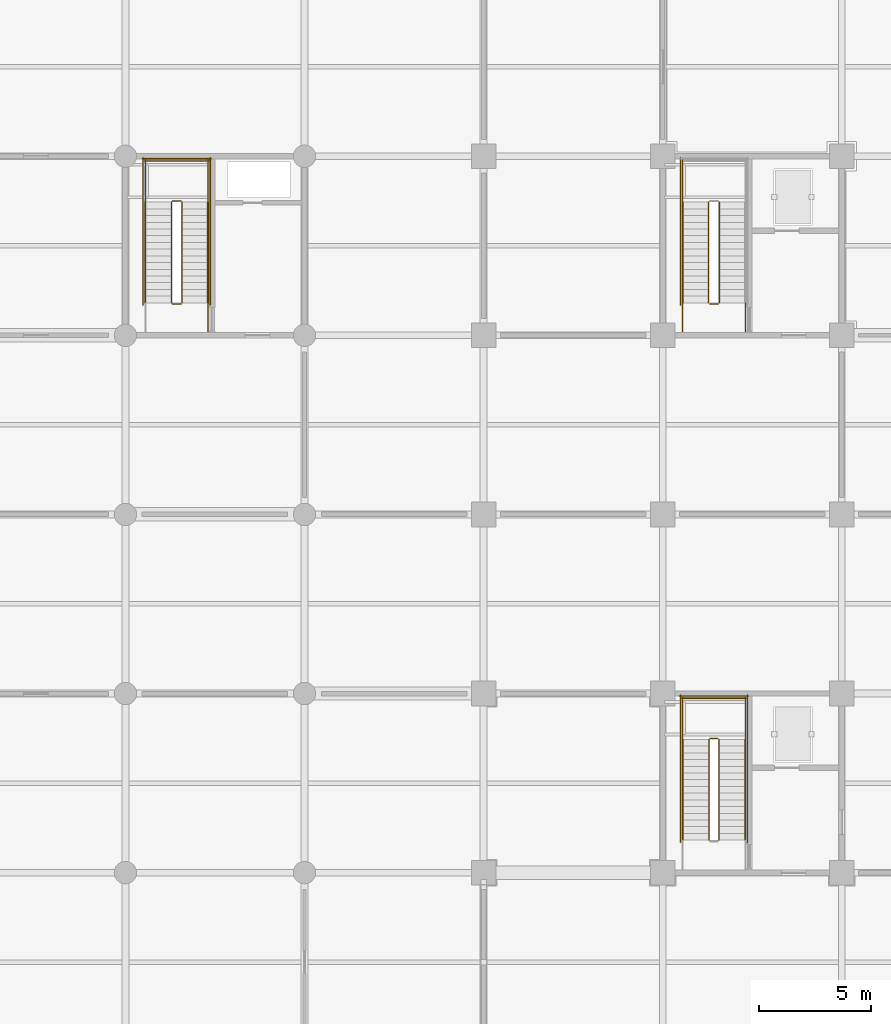
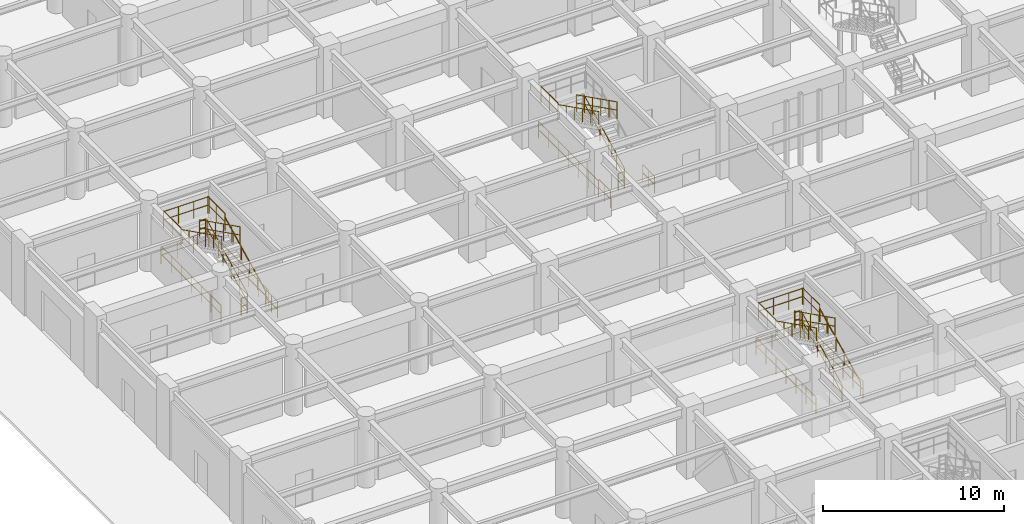
# One storey, part 108 of 125: 32 railings.
"""IFC4 building model written with IfcOpenShell, lengths in metres."""

from ifc_helpers import new_model, si_unit, direction, frame, origin, origin_2d, place, context, subcontext, project, spatial, circle, extrude, material, type_object, element, save


model = new_model("IFC4")

# Units and contexts
model_context = context("Model", 3, precision=1e-05, world=origin(), true_north=direction((0.0, 1.0)))
body_context = subcontext(model_context, "Body", "Model", "MODEL_VIEW")
ifc_project = project(units=[si_unit("LENGTHUNIT", "METRE"), si_unit("AREAUNIT", "SQUARE_METRE"), si_unit("VOLUMEUNIT", "CUBIC_METRE"), si_unit("PLANEANGLEUNIT", "RADIAN"), si_unit("MASSUNIT", "GRAM", prefix="KILO")], contexts=[model_context])

# Site, building, storey
site_placement = place(None, origin())
site = spatial("IfcSite", under=ifc_project, at=site_placement, CompositionType="ELEMENT")
building_placement = place(site_placement, origin())
building = spatial("IfcBuilding", under=site, at=building_placement, Name="Haebicheon Civic Stadium", CompositionType="ELEMENT")
storey_placement = place(building_placement, origin())
storey = spatial("IfcBuildingStorey", under=building, at=storey_placement, Name="L01", CompositionType="ELEMENT", Elevation=0.0)

# Railings
ifc_material_1 = material(Name="Galvanised painted steel SM355", Category="steel")
railing_type_1 = type_object("IfcRailingType", Name="RL-GRD-1150", PredefinedType="GUARDRAIL", material=ifc_material_1)
railing_1_placement = place(storey_placement, frame((34.510009765625, 57.449951171875, 0.14990234375)))
element("IfcRailing", 1, at=railing_1_placement, inside=storey, type_object=railing_type_1, material=ifc_material_1, Name="L01 ST-02 stair guard 1", PredefinedType="GUARDRAIL", context=body_context, shape_type="SweptSolid", body=[
    extrude(circle(Radius=0.02392578125, at=origin_2d()), frame((0.0, 0.0, 1.1259765625), z_axis=(0.0, 0.894427191, 0.4472135955), x_axis=(-1.0, 0.0, 0.0)), (0.0, 0.0, 1.0), 5.03125),
    extrude(circle(Radius=0.02392578125, at=origin_2d()), frame((0.0, 0.0, 0.574951171875), z_axis=(0.0, 0.894427191, 0.4472135955), x_axis=(-1.0, 0.0, 0.0)), (0.0, 0.0, 1.0), 5.03125),
    extrude(circle(Radius=0.02099609375, at=origin_2d()), origin(), (0.0, 0.0, 1.0), 1.101806640625),
    extrude(circle(Radius=0.02099609375, at=origin_2d()), frame((0.0, 0.89990234375, 0.449951171875)), (0.0, 0.0, 1.0), 1.101806640625),
    extrude(circle(Radius=0.02099609375, at=origin_2d()), frame((0.0, 1.800048828125, 0.89990234375)), (0.0, 0.0, 1.0), 1.101806640625),
    extrude(circle(Radius=0.02099609375, at=origin_2d()), frame((0.0, 2.699951171875, 1.35009765625)), (0.0, 0.0, 1.0), 1.101806640625),
    extrude(circle(Radius=0.02099609375, at=origin_2d()), frame((0.0, 3.60009765625, 1.800048828125)), (0.0, 0.0, 1.0), 1.101806640625),
    extrude(circle(Radius=0.02099609375, at=origin_2d()), frame((0.0, 4.5, 2.25)), (0.0, 0.0, 1.0), 1.101806640625),
])
railing_2_placement = place(storey_placement, frame((34.4599609375, 62.0, 2.39990234375)))
element("IfcRailing", 2, at=railing_2_placement, inside=storey, type_object=railing_type_1, material=ifc_material_1, Name="L01 ST-02 stair guard 2", PredefinedType="GUARDRAIL", context=body_context, shape_type="SweptSolid", body=[
    extrude(circle(Radius=0.02392578125, at=origin_2d()), frame((0.0, 0.0, 1.1259765625), z_axis=(-1.0, 0.0, 0.0), x_axis=(0.0, -1.0, 0.0)), (0.0, 0.0, 1.0), 0.33984375),
    extrude(circle(Radius=0.02392578125, at=origin_2d()), frame((0.0, 0.0, 0.574951171875), z_axis=(-1.0, 0.0, 0.0), x_axis=(0.0, -1.0, 0.0)), (0.0, 0.0, 1.0), 0.33984375),
    extrude(circle(Radius=0.02099609375, at=origin_2d()), origin(), (0.0, 0.0, 1.0), 1.101806640625),
    extrude(circle(Radius=0.02099609375, at=origin_2d()), frame((-0.33984375, 0.0, 0.0)), (0.0, 0.0, 1.0), 1.101806640625),
])
for number, where, name in (
    (3, (35.68994140625, 61.949951171875, 2.39990234375), "L01 ST-02 stair guard 3"),
    (4, (32.889892578125, 61.949951171875, 2.39990234375), "L01 ST-02 stair guard 4"),
):
    element("IfcRailing", number, at=place(storey_placement, frame(where)), inside=storey, type_object=railing_type_1, material=ifc_material_1, Name=name, PredefinedType="GUARDRAIL", context=body_context, shape_type="SweptSolid", body=[
        extrude(circle(Radius=0.02392578125, at=origin_2d()), frame((0.0, 0.0, 1.1259765625), z_axis=(0.0, 1.0, 0.0), x_axis=(-1.0, 0.0, 0.0)), (0.0, 0.0, 1.0), 1.89013671875),
        extrude(circle(Radius=0.02392578125, at=origin_2d()), frame((0.0, 0.0, 0.574951171875), z_axis=(0.0, 1.0, 0.0), x_axis=(-1.0, 0.0, 0.0)), (0.0, 0.0, 1.0), 1.89013671875),
        extrude(circle(Radius=0.02099609375, at=origin_2d()), origin(), (0.0, 0.0, 1.0), 1.101806640625),
        extrude(circle(Radius=0.02099609375, at=origin_2d()), frame((0.0, 0.945068359375, 0.0)), (0.0, 0.0, 1.0), 1.101806640625),
        extrude(circle(Radius=0.02099609375, at=origin_2d()), frame((0.0, 1.89013671875, 0.0)), (0.0, 0.0, 1.0), 1.101806640625),
    ])
railing_3_placement = place(storey_placement, frame((35.739990234375, 63.7900390625, 2.39990234375)))
element("IfcRailing", 5, at=railing_3_placement, inside=storey, type_object=railing_type_1, material=ifc_material_1, Name="L01 ST-02 stair guard 5", PredefinedType="GUARDRAIL", context=body_context, shape_type="SweptSolid", body=[
    extrude(circle(Radius=0.02392578125, at=origin_2d()), frame((0.0, 0.0, 1.1259765625), z_axis=(-1.0, 0.0, 0.0), x_axis=(0.0, -1.0, 0.0)), (0.0, 0.0, 1.0), 2.89990234375),
    extrude(circle(Radius=0.02392578125, at=origin_2d()), frame((0.0, 0.0, 0.574951171875), z_axis=(-1.0, 0.0, 0.0), x_axis=(0.0, -1.0, 0.0)), (0.0, 0.0, 1.0), 2.89990234375),
    extrude(circle(Radius=0.02099609375, at=origin_2d()), origin(), (0.0, 0.0, 1.0), 1.101806640625),
    extrude(circle(Radius=0.02099609375, at=origin_2d()), frame((-0.966552734375, 0.0, 0.0)), (0.0, 0.0, 1.0), 1.101806640625),
    extrude(circle(Radius=0.02099609375, at=origin_2d()), frame((-1.933349609375, 0.0, 0.0)), (0.0, 0.0, 1.0), 1.101806640625),
    extrude(circle(Radius=0.02099609375, at=origin_2d()), frame((-2.89990234375, 0.0, 0.0)), (0.0, 0.0, 1.0), 1.101806640625),
])
railing_4_placement = place(storey_placement, frame((34.070068359375, 61.949951171875, 2.550048828125)))
element("IfcRailing", 6, at=railing_4_placement, inside=storey, type_object=railing_type_1, material=ifc_material_1, Name="L01 ST-02 stair guard 6", PredefinedType="GUARDRAIL", context=body_context, shape_type="SweptSolid", body=[
    extrude(circle(Radius=0.02392578125, at=origin_2d()), frame((0.0, 0.0, 1.1259765625), z_axis=(0.0, -0.894427191, 0.4472135955), x_axis=(1.0, 0.0, 0.0)), (0.0, 0.0, 1.0), 5.03125),
    extrude(circle(Radius=0.02392578125, at=origin_2d()), frame((0.0, 0.0, 0.574951171875), z_axis=(0.0, -0.894427191, 0.4472135955), x_axis=(1.0, 0.0, 0.0)), (0.0, 0.0, 1.0), 5.03125),
    extrude(circle(Radius=0.02099609375, at=origin_2d()), origin(), (0.0, 0.0, 1.0), 1.101806640625),
    extrude(circle(Radius=0.02099609375, at=origin_2d()), frame((0.0, -0.89990234375, 0.449951171875)), (0.0, 0.0, 1.0), 1.101806640625),
    extrude(circle(Radius=0.02099609375, at=origin_2d()), frame((0.0, -1.800048828125, 0.89990234375)), (0.0, 0.0, 1.0), 1.101806640625),
    extrude(circle(Radius=0.02099609375, at=origin_2d()), frame((0.0, -2.699951171875, 1.35009765625)), (0.0, 0.0, 1.0), 1.101806640625),
    extrude(circle(Radius=0.02099609375, at=origin_2d()), frame((0.0, -3.60009765625, 1.800048828125)), (0.0, 0.0, 1.0), 1.101806640625),
    extrude(circle(Radius=0.02099609375, at=origin_2d()), frame((0.0, -4.5, 2.25)), (0.0, 0.0, 1.0), 1.101806640625),
])
for number, where, name in (
    (7, (35.7900390625, 57.35009765625, 0.0), "L01 ST-02 stair guard 10"),
    (8, (32.7900390625, 57.35009765625, 0.0), "L01 ST-02 stair guard 11"),
):
    element("IfcRailing", number, at=place(storey_placement, frame(where)), inside=storey, type_object=railing_type_1, material=ifc_material_1, Name=name, PredefinedType="GUARDRAIL", context=body_context, shape_type="SweptSolid", body=[
        extrude(circle(Radius=0.02392578125, at=origin_2d()), frame((0.0, 0.0, 1.1259765625), z_axis=(0.0, 1.0, 0.0), x_axis=(-1.0, 0.0, 0.0)), (0.0, 0.0, 1.0), 6.58984375),
        extrude(circle(Radius=0.02392578125, at=origin_2d()), frame((0.0, 0.0, 0.574951171875), z_axis=(0.0, 1.0, 0.0), x_axis=(-1.0, 0.0, 0.0)), (0.0, 0.0, 1.0), 6.58984375),
        extrude(circle(Radius=0.02099609375, at=origin_2d()), origin(), (0.0, 0.0, 1.0), 1.101806640625),
        extrude(circle(Radius=0.02099609375, at=origin_2d()), frame((0.0, 1.098388671875, 0.0)), (0.0, 0.0, 1.0), 1.101806640625),
        extrude(circle(Radius=0.02099609375, at=origin_2d()), frame((0.0, 2.196533203125, 0.0)), (0.0, 0.0, 1.0), 1.101806640625),
        extrude(circle(Radius=0.02099609375, at=origin_2d()), frame((0.0, 3.294921875, 0.0)), (0.0, 0.0, 1.0), 1.101806640625),
        extrude(circle(Radius=0.02099609375, at=origin_2d()), frame((0.0, 4.393310546875, 0.0)), (0.0, 0.0, 1.0), 1.101806640625),
        extrude(circle(Radius=0.02099609375, at=origin_2d()), frame((0.0, 5.491455078125, 0.0)), (0.0, 0.0, 1.0), 1.101806640625),
        extrude(circle(Radius=0.02099609375, at=origin_2d()), frame((0.0, 6.58984375, 0.0)), (0.0, 0.0, 1.0), 1.101806640625),
    ])
railing_5_placement = place(storey_placement, frame((35.840087890625, 63.889892578125, 0.0)))
element("IfcRailing", 9, at=railing_5_placement, inside=storey, type_object=railing_type_1, material=ifc_material_1, Name="L01 ST-02 stair guard 12", PredefinedType="GUARDRAIL", context=body_context, shape_type="SweptSolid", body=[
    extrude(circle(Radius=0.02392578125, at=origin_2d()), frame((0.0, 0.0, 1.1259765625), z_axis=(-1.0, 0.0, 0.0), x_axis=(0.0, -1.0, 0.0)), (0.0, 0.0, 1.0), 3.10009765625),
    extrude(circle(Radius=0.02392578125, at=origin_2d()), frame((0.0, 0.0, 0.574951171875), z_axis=(-1.0, 0.0, 0.0), x_axis=(0.0, -1.0, 0.0)), (0.0, 0.0, 1.0), 3.10009765625),
    extrude(circle(Radius=0.02099609375, at=origin_2d()), origin(), (0.0, 0.0, 1.0), 1.101806640625),
    extrude(circle(Radius=0.02099609375, at=origin_2d()), frame((-1.033447265625, 0.0, 0.0)), (0.0, 0.0, 1.0), 1.101806640625),
    extrude(circle(Radius=0.02099609375, at=origin_2d()), frame((-2.066650390625, 0.0, 0.0)), (0.0, 0.0, 1.0), 1.101806640625),
    extrude(circle(Radius=0.02099609375, at=origin_2d()), frame((-3.10009765625, 0.0, 0.0)), (0.0, 0.0, 1.0), 1.101806640625),
])
railing_6_placement = place(storey_placement, frame((34.530029296875, 81.449951171875, 0.14990234375)))
element("IfcRailing", 10, at=railing_6_placement, inside=storey, type_object=railing_type_1, material=ifc_material_1, Name="L01 ST-03 stair guard 1", PredefinedType="GUARDRAIL", context=body_context, shape_type="SweptSolid", body=[
    extrude(circle(Radius=0.02392578125, at=origin_2d()), frame((0.0, 0.0, 1.1259765625), z_axis=(0.0, 0.894427191, 0.4472135955), x_axis=(-1.0, 0.0, 0.0)), (0.0, 0.0, 1.0), 5.03125),
    extrude(circle(Radius=0.02392578125, at=origin_2d()), frame((0.0, 0.0, 0.574951171875), z_axis=(0.0, 0.894427191, 0.4472135955), x_axis=(-1.0, 0.0, 0.0)), (0.0, 0.0, 1.0), 5.03125),
    extrude(circle(Radius=0.02099609375, at=origin_2d()), origin(), (0.0, 0.0, 1.0), 1.101806640625),
    extrude(circle(Radius=0.02099609375, at=origin_2d()), frame((0.0, 0.89990234375, 0.449951171875)), (0.0, 0.0, 1.0), 1.101806640625),
    extrude(circle(Radius=0.02099609375, at=origin_2d()), frame((0.0, 1.800048828125, 0.89990234375)), (0.0, 0.0, 1.0), 1.101806640625),
    extrude(circle(Radius=0.02099609375, at=origin_2d()), frame((0.0, 2.699951171875, 1.35009765625)), (0.0, 0.0, 1.0), 1.101806640625),
    extrude(circle(Radius=0.02099609375, at=origin_2d()), frame((0.0, 3.60009765625, 1.800048828125)), (0.0, 0.0, 1.0), 1.101806640625),
    extrude(circle(Radius=0.02099609375, at=origin_2d()), frame((0.0, 4.5, 2.25)), (0.0, 0.0, 1.0), 1.101806640625),
])
railing_7_placement = place(storey_placement, frame((32.889892578125, 85.949951171875, 2.39990234375)))
element("IfcRailing", 11, at=railing_7_placement, inside=storey, type_object=railing_type_1, material=ifc_material_1, Name="L01 ST-03 stair guard 4", PredefinedType="GUARDRAIL", context=body_context, shape_type="SweptSolid", body=[
    extrude(circle(Radius=0.02392578125, at=origin_2d()), frame((0.0, 0.0, 1.1259765625), z_axis=(0.0, 1.0, 0.0), x_axis=(-1.0, 0.0, 0.0)), (0.0, 0.0, 1.0), 1.89013671875),
    extrude(circle(Radius=0.02392578125, at=origin_2d()), frame((0.0, 0.0, 0.574951171875), z_axis=(0.0, 1.0, 0.0), x_axis=(-1.0, 0.0, 0.0)), (0.0, 0.0, 1.0), 1.89013671875),
    extrude(circle(Radius=0.02099609375, at=origin_2d()), origin(), (0.0, 0.0, 1.0), 1.101806640625),
    extrude(circle(Radius=0.02099609375, at=origin_2d()), frame((0.0, 0.945068359375, 0.0)), (0.0, 0.0, 1.0), 1.101806640625),
    extrude(circle(Radius=0.02099609375, at=origin_2d()), frame((0.0, 1.89013671875, 0.0)), (0.0, 0.0, 1.0), 1.101806640625),
])
railing_8_placement = place(storey_placement, frame((34.050048828125, 85.949951171875, 2.550048828125)))
element("IfcRailing", 12, at=railing_8_placement, inside=storey, type_object=railing_type_1, material=ifc_material_1, Name="L01 ST-03 stair guard 6", PredefinedType="GUARDRAIL", context=body_context, shape_type="SweptSolid", body=[
    extrude(circle(Radius=0.02392578125, at=origin_2d()), frame((0.0, 0.0, 1.1259765625), z_axis=(0.0, -0.894427191, 0.4472135955), x_axis=(1.0, 0.0, 0.0)), (0.0, 0.0, 1.0), 5.03125),
    extrude(circle(Radius=0.02392578125, at=origin_2d()), frame((0.0, 0.0, 0.574951171875), z_axis=(0.0, -0.894427191, 0.4472135955), x_axis=(1.0, 0.0, 0.0)), (0.0, 0.0, 1.0), 5.03125),
    extrude(circle(Radius=0.02099609375, at=origin_2d()), origin(), (0.0, 0.0, 1.0), 1.101806640625),
    extrude(circle(Radius=0.02099609375, at=origin_2d()), frame((0.0, -0.89990234375, 0.449951171875)), (0.0, 0.0, 1.0), 1.101806640625),
    extrude(circle(Radius=0.02099609375, at=origin_2d()), frame((0.0, -1.800048828125, 0.89990234375)), (0.0, 0.0, 1.0), 1.101806640625),
    extrude(circle(Radius=0.02099609375, at=origin_2d()), frame((0.0, -2.699951171875, 1.35009765625)), (0.0, 0.0, 1.0), 1.101806640625),
    extrude(circle(Radius=0.02099609375, at=origin_2d()), frame((0.0, -3.60009765625, 1.800048828125)), (0.0, 0.0, 1.0), 1.101806640625),
    extrude(circle(Radius=0.02099609375, at=origin_2d()), frame((0.0, -4.5, 2.25)), (0.0, 0.0, 1.0), 1.101806640625),
])
railing_9_placement = place(storey_placement, frame((34.47998046875, 81.39990234375, 0.0)))
element("IfcRailing", 13, at=railing_9_placement, inside=storey, type_object=railing_type_1, material=ifc_material_1, Name="L01 ST-03 stair guard 7", PredefinedType="GUARDRAIL", context=body_context, shape_type="SweptSolid", body=[
    extrude(circle(Radius=0.02392578125, at=origin_2d()), frame((0.0, 0.0, 1.1259765625), z_axis=(-1.0, 0.0, 0.0), x_axis=(0.0, -1.0, 0.0)), (0.0, 0.0, 1.0), 0.3798828125),
    extrude(circle(Radius=0.02392578125, at=origin_2d()), frame((0.0, 0.0, 0.574951171875), z_axis=(-1.0, 0.0, 0.0), x_axis=(0.0, -1.0, 0.0)), (0.0, 0.0, 1.0), 0.3798828125),
    extrude(circle(Radius=0.02099609375, at=origin_2d()), origin(), (0.0, 0.0, 1.0), 1.101806640625),
    extrude(circle(Radius=0.02099609375, at=origin_2d()), frame((-0.3798828125, 0.0, 0.0)), (0.0, 0.0, 1.0), 1.101806640625),
])
for number, where, name in (
    (14, (35.68994140625, 80.159912109375, 0.0), "L01 ST-03 stair guard 8"),
    (15, (32.889892578125, 80.159912109375, 0.0), "L01 ST-03 stair guard 9"),
):
    element("IfcRailing", number, at=place(storey_placement, frame(where)), inside=storey, type_object=railing_type_1, material=ifc_material_1, Name=name, PredefinedType="GUARDRAIL", context=body_context, shape_type="SweptSolid", body=[
        extrude(circle(Radius=0.02392578125, at=origin_2d()), frame((0.0, 0.0, 1.1259765625), z_axis=(0.0, 1.0, 0.0), x_axis=(-1.0, 0.0, 0.0)), (0.0, 0.0, 1.0), 1.2900390625),
        extrude(circle(Radius=0.02392578125, at=origin_2d()), frame((0.0, 0.0, 0.574951171875), z_axis=(0.0, 1.0, 0.0), x_axis=(-1.0, 0.0, 0.0)), (0.0, 0.0, 1.0), 1.2900390625),
        extrude(circle(Radius=0.02099609375, at=origin_2d()), origin(), (0.0, 0.0, 1.0), 1.101806640625),
        extrude(circle(Radius=0.02099609375, at=origin_2d()), frame((0.0, 0.64501953125, 0.0)), (0.0, 0.0, 1.0), 1.101806640625),
        extrude(circle(Radius=0.02099609375, at=origin_2d()), frame((0.0, 1.2900390625, 0.0)), (0.0, 0.0, 1.0), 1.101806640625),
    ])
railing_10_placement = place(storey_placement, frame((32.7900390625, 81.35009765625, 0.0)))
element("IfcRailing", 16, at=railing_10_placement, inside=storey, type_object=railing_type_1, material=ifc_material_1, Name="L01 ST-03 stair guard 11", PredefinedType="GUARDRAIL", context=body_context, shape_type="SweptSolid", body=[
    extrude(circle(Radius=0.02392578125, at=origin_2d()), frame((0.0, 0.0, 1.1259765625), z_axis=(0.0, 1.0, 0.0), x_axis=(-1.0, 0.0, 0.0)), (0.0, 0.0, 1.0), 6.58984375),
    extrude(circle(Radius=0.02392578125, at=origin_2d()), frame((0.0, 0.0, 0.574951171875), z_axis=(0.0, 1.0, 0.0), x_axis=(-1.0, 0.0, 0.0)), (0.0, 0.0, 1.0), 6.58984375),
    extrude(circle(Radius=0.02099609375, at=origin_2d()), origin(), (0.0, 0.0, 1.0), 1.101806640625),
    extrude(circle(Radius=0.02099609375, at=origin_2d()), frame((0.0, 1.098388671875, 0.0)), (0.0, 0.0, 1.0), 1.101806640625),
    extrude(circle(Radius=0.02099609375, at=origin_2d()), frame((0.0, 2.196533203125, 0.0)), (0.0, 0.0, 1.0), 1.101806640625),
    extrude(circle(Radius=0.02099609375, at=origin_2d()), frame((0.0, 3.294921875, 0.0)), (0.0, 0.0, 1.0), 1.101806640625),
    extrude(circle(Radius=0.02099609375, at=origin_2d()), frame((0.0, 4.393310546875, 0.0)), (0.0, 0.0, 1.0), 1.101806640625),
    extrude(circle(Radius=0.02099609375, at=origin_2d()), frame((0.0, 5.491455078125, 0.0)), (0.0, 0.0, 1.0), 1.101806640625),
    extrude(circle(Radius=0.02099609375, at=origin_2d()), frame((0.0, 6.58984375, 0.0)), (0.0, 0.0, 1.0), 1.101806640625),
])
railing_11_placement = place(storey_placement, frame((10.530029296875, 81.449951171875, 0.14990234375)))
element("IfcRailing", 17, at=railing_11_placement, inside=storey, type_object=railing_type_1, material=ifc_material_1, Name="L01 ST-15 stair guard 1", PredefinedType="GUARDRAIL", context=body_context, shape_type="SweptSolid", body=[
    extrude(circle(Radius=0.02392578125, at=origin_2d()), frame((0.0, 0.0, 1.1259765625), z_axis=(0.0, 0.894427191, 0.4472135955), x_axis=(-1.0, 0.0, 0.0)), (0.0, 0.0, 1.0), 5.03125),
    extrude(circle(Radius=0.02392578125, at=origin_2d()), frame((0.0, 0.0, 0.574951171875), z_axis=(0.0, 0.894427191, 0.4472135955), x_axis=(-1.0, 0.0, 0.0)), (0.0, 0.0, 1.0), 5.03125),
    extrude(circle(Radius=0.02099609375, at=origin_2d()), origin(), (0.0, 0.0, 1.0), 1.101806640625),
    extrude(circle(Radius=0.02099609375, at=origin_2d()), frame((0.0, 0.89990234375, 0.449951171875)), (0.0, 0.0, 1.0), 1.101806640625),
    extrude(circle(Radius=0.02099609375, at=origin_2d()), frame((0.0, 1.800048828125, 0.89990234375)), (0.0, 0.0, 1.0), 1.101806640625),
    extrude(circle(Radius=0.02099609375, at=origin_2d()), frame((0.0, 2.699951171875, 1.35009765625)), (0.0, 0.0, 1.0), 1.101806640625),
    extrude(circle(Radius=0.02099609375, at=origin_2d()), frame((0.0, 3.60009765625, 1.800048828125)), (0.0, 0.0, 1.0), 1.101806640625),
    extrude(circle(Radius=0.02099609375, at=origin_2d()), frame((0.0, 4.5, 2.25)), (0.0, 0.0, 1.0), 1.101806640625),
])
railing_12_placement = place(storey_placement, frame((10.47998046875, 86.0, 2.39990234375)))
element("IfcRailing", 18, at=railing_12_placement, inside=storey, type_object=railing_type_1, material=ifc_material_1, Name="L01 ST-15 stair guard 2", PredefinedType="GUARDRAIL", context=body_context, shape_type="SweptSolid", body=[
    extrude(circle(Radius=0.02392578125, at=origin_2d()), frame((0.0, 0.0, 1.1259765625), z_axis=(-1.0, 0.0, 0.0), x_axis=(0.0, -1.0, 0.0)), (0.0, 0.0, 1.0), 0.3798828125),
    extrude(circle(Radius=0.02392578125, at=origin_2d()), frame((0.0, 0.0, 0.574951171875), z_axis=(-1.0, 0.0, 0.0), x_axis=(0.0, -1.0, 0.0)), (0.0, 0.0, 1.0), 0.3798828125),
    extrude(circle(Radius=0.02099609375, at=origin_2d()), origin(), (0.0, 0.0, 1.0), 1.101806640625),
    extrude(circle(Radius=0.02099609375, at=origin_2d()), frame((-0.3798828125, 0.0, 0.0)), (0.0, 0.0, 1.0), 1.101806640625),
])
for number, where, name in (
    (19, (11.68994140625, 85.949951171875, 2.39990234375), "L01 ST-15 stair guard 3"),
    (20, (8.889892578125, 85.949951171875, 2.39990234375), "L01 ST-15 stair guard 4"),
):
    element("IfcRailing", number, at=place(storey_placement, frame(where)), inside=storey, type_object=railing_type_1, material=ifc_material_1, Name=name, PredefinedType="GUARDRAIL", context=body_context, shape_type="SweptSolid", body=[
        extrude(circle(Radius=0.02392578125, at=origin_2d()), frame((0.0, 0.0, 1.1259765625), z_axis=(0.0, 1.0, 0.0), x_axis=(-1.0, 0.0, 0.0)), (0.0, 0.0, 1.0), 1.89013671875),
        extrude(circle(Radius=0.02392578125, at=origin_2d()), frame((0.0, 0.0, 0.574951171875), z_axis=(0.0, 1.0, 0.0), x_axis=(-1.0, 0.0, 0.0)), (0.0, 0.0, 1.0), 1.89013671875),
        extrude(circle(Radius=0.02099609375, at=origin_2d()), origin(), (0.0, 0.0, 1.0), 1.101806640625),
        extrude(circle(Radius=0.02099609375, at=origin_2d()), frame((0.0, 0.945068359375, 0.0)), (0.0, 0.0, 1.0), 1.101806640625),
        extrude(circle(Radius=0.02099609375, at=origin_2d()), frame((0.0, 1.89013671875, 0.0)), (0.0, 0.0, 1.0), 1.101806640625),
    ])
railing_13_placement = place(storey_placement, frame((11.739990234375, 87.7900390625, 2.39990234375)))
element("IfcRailing", 21, at=railing_13_placement, inside=storey, type_object=railing_type_1, material=ifc_material_1, Name="L01 ST-15 stair guard 5", PredefinedType="GUARDRAIL", context=body_context, shape_type="SweptSolid", body=[
    extrude(circle(Radius=0.02392578125, at=origin_2d()), frame((0.0, 0.0, 1.1259765625), z_axis=(-1.0, 0.0, 0.0), x_axis=(0.0, -1.0, 0.0)), (0.0, 0.0, 1.0), 2.89990234375),
    extrude(circle(Radius=0.02392578125, at=origin_2d()), frame((0.0, 0.0, 0.574951171875), z_axis=(-1.0, 0.0, 0.0), x_axis=(0.0, -1.0, 0.0)), (0.0, 0.0, 1.0), 2.89990234375),
    extrude(circle(Radius=0.02099609375, at=origin_2d()), origin(), (0.0, 0.0, 1.0), 1.101806640625),
    extrude(circle(Radius=0.02099609375, at=origin_2d()), frame((-0.966552734375, 0.0, 0.0)), (0.0, 0.0, 1.0), 1.101806640625),
    extrude(circle(Radius=0.02099609375, at=origin_2d()), frame((-1.933349609375, 0.0, 0.0)), (0.0, 0.0, 1.0), 1.101806640625),
    extrude(circle(Radius=0.02099609375, at=origin_2d()), frame((-2.89990234375, 0.0, 0.0)), (0.0, 0.0, 1.0), 1.101806640625),
])
railing_14_placement = place(storey_placement, frame((10.050048828125, 85.949951171875, 2.550048828125)))
element("IfcRailing", 22, at=railing_14_placement, inside=storey, type_object=railing_type_1, material=ifc_material_1, Name="L01 ST-15 stair guard 6", PredefinedType="GUARDRAIL", context=body_context, shape_type="SweptSolid", body=[
    extrude(circle(Radius=0.02392578125, at=origin_2d()), frame((0.0, 0.0, 1.1259765625), z_axis=(0.0, -0.894427191, 0.4472135955), x_axis=(1.0, 0.0, 0.0)), (0.0, 0.0, 1.0), 5.03125),
    extrude(circle(Radius=0.02392578125, at=origin_2d()), frame((0.0, 0.0, 0.574951171875), z_axis=(0.0, -0.894427191, 0.4472135955), x_axis=(1.0, 0.0, 0.0)), (0.0, 0.0, 1.0), 5.03125),
    extrude(circle(Radius=0.02099609375, at=origin_2d()), origin(), (0.0, 0.0, 1.0), 1.101806640625),
    extrude(circle(Radius=0.02099609375, at=origin_2d()), frame((0.0, -0.89990234375, 0.449951171875)), (0.0, 0.0, 1.0), 1.101806640625),
    extrude(circle(Radius=0.02099609375, at=origin_2d()), frame((0.0, -1.800048828125, 0.89990234375)), (0.0, 0.0, 1.0), 1.101806640625),
    extrude(circle(Radius=0.02099609375, at=origin_2d()), frame((0.0, -2.699951171875, 1.35009765625)), (0.0, 0.0, 1.0), 1.101806640625),
    extrude(circle(Radius=0.02099609375, at=origin_2d()), frame((0.0, -3.60009765625, 1.800048828125)), (0.0, 0.0, 1.0), 1.101806640625),
    extrude(circle(Radius=0.02099609375, at=origin_2d()), frame((0.0, -4.5, 2.25)), (0.0, 0.0, 1.0), 1.101806640625),
])
railing_15_placement = place(storey_placement, frame((10.47998046875, 81.39990234375, 0.0)))
element("IfcRailing", 23, at=railing_15_placement, inside=storey, type_object=railing_type_1, material=ifc_material_1, Name="L01 ST-15 stair guard 7", PredefinedType="GUARDRAIL", context=body_context, shape_type="SweptSolid", body=[
    extrude(circle(Radius=0.02392578125, at=origin_2d()), frame((0.0, 0.0, 1.1259765625), z_axis=(-1.0, 0.0, 0.0), x_axis=(0.0, -1.0, 0.0)), (0.0, 0.0, 1.0), 0.3798828125),
    extrude(circle(Radius=0.02392578125, at=origin_2d()), frame((0.0, 0.0, 0.574951171875), z_axis=(-1.0, 0.0, 0.0), x_axis=(0.0, -1.0, 0.0)), (0.0, 0.0, 1.0), 0.3798828125),
    extrude(circle(Radius=0.02099609375, at=origin_2d()), origin(), (0.0, 0.0, 1.0), 1.101806640625),
    extrude(circle(Radius=0.02099609375, at=origin_2d()), frame((-0.3798828125, 0.0, 0.0)), (0.0, 0.0, 1.0), 1.101806640625),
])
railing_16_placement = place(storey_placement, frame((11.68994140625, 80.159912109375, 0.0)))
element("IfcRailing", 24, at=railing_16_placement, inside=storey, type_object=railing_type_1, material=ifc_material_1, Name="L01 ST-15 stair guard 8", PredefinedType="GUARDRAIL", context=body_context, shape_type="SweptSolid", body=[
    extrude(circle(Radius=0.02392578125, at=origin_2d()), frame((0.0, 0.0, 1.1259765625), z_axis=(0.0, 1.0, 0.0), x_axis=(-1.0, 0.0, 0.0)), (0.0, 0.0, 1.0), 1.2900390625),
    extrude(circle(Radius=0.02392578125, at=origin_2d()), frame((0.0, 0.0, 0.574951171875), z_axis=(0.0, 1.0, 0.0), x_axis=(-1.0, 0.0, 0.0)), (0.0, 0.0, 1.0), 1.2900390625),
    extrude(circle(Radius=0.02099609375, at=origin_2d()), origin(), (0.0, 0.0, 1.0), 1.101806640625),
    extrude(circle(Radius=0.02099609375, at=origin_2d()), frame((0.0, 0.64501953125, 0.0)), (0.0, 0.0, 1.0), 1.101806640625),
    extrude(circle(Radius=0.02099609375, at=origin_2d()), frame((0.0, 1.2900390625, 0.0)), (0.0, 0.0, 1.0), 1.101806640625),
])
for number, where, name in (
    (25, (11.7900390625, 81.35009765625, 0.0), "L01 ST-15 stair guard 10"),
    (26, (8.7900390625, 81.35009765625, 0.0), "L01 ST-15 stair guard 11"),
):
    element("IfcRailing", number, at=place(storey_placement, frame(where)), inside=storey, type_object=railing_type_1, material=ifc_material_1, Name=name, PredefinedType="GUARDRAIL", context=body_context, shape_type="SweptSolid", body=[
        extrude(circle(Radius=0.02392578125, at=origin_2d()), frame((0.0, 0.0, 1.1259765625), z_axis=(0.0, 1.0, 0.0), x_axis=(-1.0, 0.0, 0.0)), (0.0, 0.0, 1.0), 6.58984375),
        extrude(circle(Radius=0.02392578125, at=origin_2d()), frame((0.0, 0.0, 0.574951171875), z_axis=(0.0, 1.0, 0.0), x_axis=(-1.0, 0.0, 0.0)), (0.0, 0.0, 1.0), 6.58984375),
        extrude(circle(Radius=0.02099609375, at=origin_2d()), origin(), (0.0, 0.0, 1.0), 1.101806640625),
        extrude(circle(Radius=0.02099609375, at=origin_2d()), frame((0.0, 1.098388671875, 0.0)), (0.0, 0.0, 1.0), 1.101806640625),
        extrude(circle(Radius=0.02099609375, at=origin_2d()), frame((0.0, 2.196533203125, 0.0)), (0.0, 0.0, 1.0), 1.101806640625),
        extrude(circle(Radius=0.02099609375, at=origin_2d()), frame((0.0, 3.294921875, 0.0)), (0.0, 0.0, 1.0), 1.101806640625),
        extrude(circle(Radius=0.02099609375, at=origin_2d()), frame((0.0, 4.393310546875, 0.0)), (0.0, 0.0, 1.0), 1.101806640625),
        extrude(circle(Radius=0.02099609375, at=origin_2d()), frame((0.0, 5.491455078125, 0.0)), (0.0, 0.0, 1.0), 1.101806640625),
        extrude(circle(Radius=0.02099609375, at=origin_2d()), frame((0.0, 6.58984375, 0.0)), (0.0, 0.0, 1.0), 1.101806640625),
    ])
railing_17_placement = place(storey_placement, frame((11.840087890625, 87.889892578125, 0.0)))
element("IfcRailing", 27, at=railing_17_placement, inside=storey, type_object=railing_type_1, material=ifc_material_1, Name="L01 ST-15 stair guard 12", PredefinedType="GUARDRAIL", context=body_context, shape_type="SweptSolid", body=[
    extrude(circle(Radius=0.02392578125, at=origin_2d()), frame((0.0, 0.0, 1.1259765625), z_axis=(-1.0, 0.0, 0.0), x_axis=(0.0, -1.0, 0.0)), (0.0, 0.0, 1.0), 3.10009765625),
    extrude(circle(Radius=0.02392578125, at=origin_2d()), frame((0.0, 0.0, 0.574951171875), z_axis=(-1.0, 0.0, 0.0), x_axis=(0.0, -1.0, 0.0)), (0.0, 0.0, 1.0), 3.10009765625),
    extrude(circle(Radius=0.02099609375, at=origin_2d()), origin(), (0.0, 0.0, 1.0), 1.101806640625),
    extrude(circle(Radius=0.02099609375, at=origin_2d()), frame((-1.033447265625, 0.0, 0.0)), (0.0, 0.0, 1.0), 1.101806640625),
    extrude(circle(Radius=0.02099609375, at=origin_2d()), frame((-2.066650390625, 0.0, 0.0)), (0.0, 0.0, 1.0), 1.101806640625),
    extrude(circle(Radius=0.02099609375, at=origin_2d()), frame((-3.10009765625, 0.0, 0.0)), (0.0, 0.0, 1.0), 1.101806640625),
])
ifc_material_2 = material(Name="Stainless steel 316", Category="steel")
railing_type_2 = type_object("IfcRailingType", Name="RL-HND-900", PredefinedType="HANDRAIL", material=ifc_material_2)
railing_18_placement = place(storey_placement, frame((35.68994140625, 57.449951171875, 0.14990234375)))
element("IfcRailing", 28, at=railing_18_placement, inside=storey, type_object=railing_type_2, material=ifc_material_2, Name="L01 ST-02 stair handrail 1", PredefinedType="HANDRAIL", context=body_context, shape_type="SweptSolid", body=[
    extrude(circle(Radius=0.02392578125, at=origin_2d()), frame((0.0, 0.0, 0.8759765625), z_axis=(0.0, 0.894427191, 0.4472135955), x_axis=(-1.0, 0.0, 0.0)), (0.0, 0.0, 1.0), 5.03125),
    extrude(circle(Radius=0.02099609375, at=origin_2d()), origin(), (0.0, 0.0, 1.0), 0.851806640625),
    extrude(circle(Radius=0.02099609375, at=origin_2d()), frame((0.0, 0.89990234375, 0.449951171875)), (0.0, 0.0, 1.0), 0.851806640625),
    extrude(circle(Radius=0.02099609375, at=origin_2d()), frame((0.0, 1.800048828125, 0.89990234375)), (0.0, 0.0, 1.0), 0.851806640625),
    extrude(circle(Radius=0.02099609375, at=origin_2d()), frame((0.0, 2.699951171875, 1.35009765625)), (0.0, 0.0, 1.0), 0.851806640625),
    extrude(circle(Radius=0.02099609375, at=origin_2d()), frame((0.0, 3.60009765625, 1.800048828125)), (0.0, 0.0, 1.0), 0.851806640625),
    extrude(circle(Radius=0.02099609375, at=origin_2d()), frame((0.0, 4.5, 2.25)), (0.0, 0.0, 1.0), 0.851806640625),
])
for number, where, name in (
    (29, (32.889892578125, 61.949951171875, 2.550048828125), "L01 ST-02 stair handrail 2"),
    (30, (32.889892578125, 85.949951171875, 2.550048828125), "L01 ST-03 stair handrail 2"),
):
    element("IfcRailing", number, at=place(storey_placement, frame(where)), inside=storey, type_object=railing_type_2, material=ifc_material_2, Name=name, PredefinedType="HANDRAIL", context=body_context, shape_type="SweptSolid", body=[
        extrude(circle(Radius=0.02392578125, at=origin_2d()), frame((0.0, 0.0, 0.8759765625), z_axis=(0.0, -0.894427191, 0.4472135955), x_axis=(1.0, 0.0, 0.0)), (0.0, 0.0, 1.0), 5.03125),
        extrude(circle(Radius=0.02099609375, at=origin_2d()), origin(), (0.0, 0.0, 1.0), 0.851806640625),
        extrude(circle(Radius=0.02099609375, at=origin_2d()), frame((0.0, -0.89990234375, 0.449951171875)), (0.0, 0.0, 1.0), 0.851806640625),
        extrude(circle(Radius=0.02099609375, at=origin_2d()), frame((0.0, -1.800048828125, 0.89990234375)), (0.0, 0.0, 1.0), 0.851806640625),
        extrude(circle(Radius=0.02099609375, at=origin_2d()), frame((0.0, -2.699951171875, 1.35009765625)), (0.0, 0.0, 1.0), 0.851806640625),
        extrude(circle(Radius=0.02099609375, at=origin_2d()), frame((0.0, -3.60009765625, 1.800048828125)), (0.0, 0.0, 1.0), 0.851806640625),
        extrude(circle(Radius=0.02099609375, at=origin_2d()), frame((0.0, -4.5, 2.25)), (0.0, 0.0, 1.0), 0.851806640625),
    ])
railing_19_placement = place(storey_placement, frame((11.68994140625, 81.449951171875, 0.14990234375)))
element("IfcRailing", 31, at=railing_19_placement, inside=storey, type_object=railing_type_2, material=ifc_material_2, Name="L01 ST-15 stair handrail 1", PredefinedType="HANDRAIL", context=body_context, shape_type="SweptSolid", body=[
    extrude(circle(Radius=0.02392578125, at=origin_2d()), frame((0.0, 0.0, 0.8759765625), z_axis=(0.0, 0.894427191, 0.4472135955), x_axis=(-1.0, 0.0, 0.0)), (0.0, 0.0, 1.0), 5.03125),
    extrude(circle(Radius=0.02099609375, at=origin_2d()), origin(), (0.0, 0.0, 1.0), 0.851806640625),
    extrude(circle(Radius=0.02099609375, at=origin_2d()), frame((0.0, 0.89990234375, 0.449951171875)), (0.0, 0.0, 1.0), 0.851806640625),
    extrude(circle(Radius=0.02099609375, at=origin_2d()), frame((0.0, 1.800048828125, 0.89990234375)), (0.0, 0.0, 1.0), 0.851806640625),
    extrude(circle(Radius=0.02099609375, at=origin_2d()), frame((0.0, 2.699951171875, 1.35009765625)), (0.0, 0.0, 1.0), 0.851806640625),
    extrude(circle(Radius=0.02099609375, at=origin_2d()), frame((0.0, 3.60009765625, 1.800048828125)), (0.0, 0.0, 1.0), 0.851806640625),
    extrude(circle(Radius=0.02099609375, at=origin_2d()), frame((0.0, 4.5, 2.25)), (0.0, 0.0, 1.0), 0.851806640625),
])
railing_20_placement = place(storey_placement, frame((8.889892578125, 85.949951171875, 2.550048828125)))
element("IfcRailing", 32, at=railing_20_placement, inside=storey, type_object=railing_type_2, material=ifc_material_2, Name="L01 ST-15 stair handrail 2", PredefinedType="HANDRAIL", context=body_context, shape_type="SweptSolid", body=[
    extrude(circle(Radius=0.02392578125, at=origin_2d()), frame((0.0, 0.0, 0.8759765625), z_axis=(0.0, -0.894427191, 0.4472135955), x_axis=(1.0, 0.0, 0.0)), (0.0, 0.0, 1.0), 5.03125),
    extrude(circle(Radius=0.02099609375, at=origin_2d()), origin(), (0.0, 0.0, 1.0), 0.851806640625),
    extrude(circle(Radius=0.02099609375, at=origin_2d()), frame((0.0, -0.89990234375, 0.449951171875)), (0.0, 0.0, 1.0), 0.851806640625),
    extrude(circle(Radius=0.02099609375, at=origin_2d()), frame((0.0, -1.800048828125, 0.89990234375)), (0.0, 0.0, 1.0), 0.851806640625),
    extrude(circle(Radius=0.02099609375, at=origin_2d()), frame((0.0, -2.699951171875, 1.35009765625)), (0.0, 0.0, 1.0), 0.851806640625),
    extrude(circle(Radius=0.02099609375, at=origin_2d()), frame((0.0, -3.60009765625, 1.800048828125)), (0.0, 0.0, 1.0), 0.851806640625),
    extrude(circle(Radius=0.02099609375, at=origin_2d()), frame((0.0, -4.5, 2.25)), (0.0, 0.0, 1.0), 0.851806640625),
])

save(model, "model.ifc")
